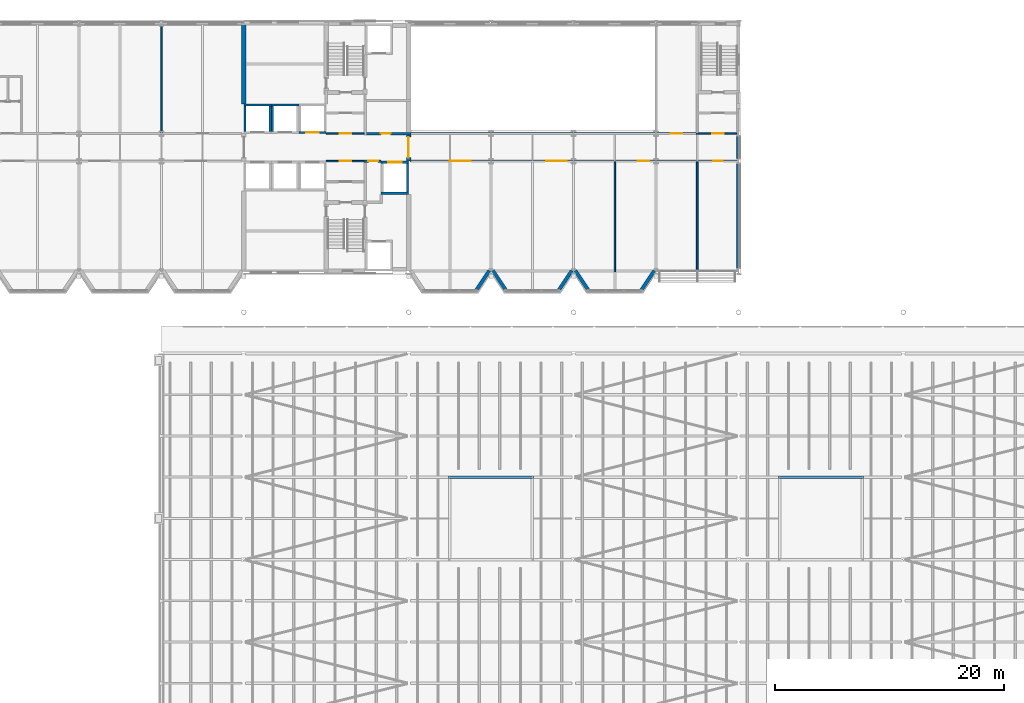
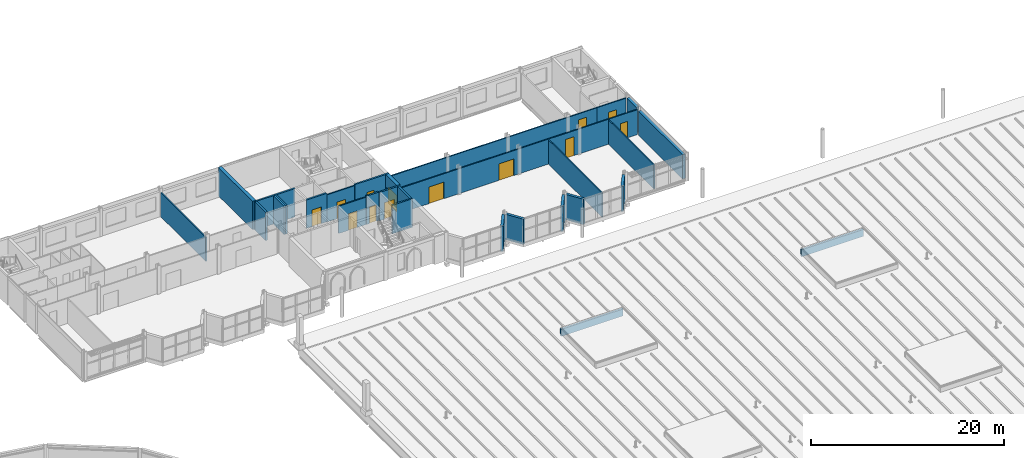
# One storey, part 63 of 120: 30 walls, 13 doors, 13 openings.
"""IFC4 building model written with IfcOpenShell, lengths in metres."""

import ifcopenshell
import ifcopenshell.guid

model = None  # the IFC model being written
_history = None  # IfcOwnerHistory: only IFC2X3 demands one
_inside = {}  # id of a spatial element -> (the spatial element, [elements in it])
_under = {}  # id of a project, library or spatial element -> (it, [spatial elements below it])
_declared = {}  # id of a project -> (the project, [libraries it declares])
_typed = {}  # id of a type object -> (the type object, [elements of that type])
_made_of = {}  # id of a material, layer set ... -> (it, [elements and type objects made of it])


def new_model(schema):
    """Start an empty IFC model of exactly this schema.

    Asked for "IFC4X3", IfcOpenShell would pick the latest addendum, in which some entities
    have other attributes; the version numbers below select the first issue.
    IFC2X3 requires an IfcOwnerHistory on every rooted entity: one is made here for all.
    """
    global model, _history
    if schema == "IFC4X3":
        model = ifcopenshell.file(schema_version=(4, 3, 0, 0))
    else:
        model = ifcopenshell.file(schema=schema)
    _inside.clear()
    _under.clear()
    _declared.clear()
    _typed.clear()
    _made_of.clear()
    _history = None
    if model.schema == "IFC2X3":
        org = make("IfcOrganization", Name="unknown")
        user = make(
            "IfcPersonAndOrganization",
            ThePerson=make("IfcPerson", FamilyName="unknown"),
            TheOrganization=org,
        )
        app = make(
            "IfcApplication",
            ApplicationDeveloper=org,
            Version="unknown",
            ApplicationFullName="unknown",
            ApplicationIdentifier="unknown",
        )
        _history = make(
            "IfcOwnerHistory",
            OwningUser=user,
            OwningApplication=app,
            ChangeAction="ADDED",
            CreationDate=0,
        )
    return model


def make(cls, **values):
    """One entity of the class cls with the attributes given. An attribute that is None is left unset."""
    return model.create_entity(
        cls, **{name: value for name, value in values.items() if value is not None}
    )


def rooted(cls, **values):
    """An entity with a GlobalId (a new one), such as an element, a storey or a relation."""
    return make(cls, GlobalId=ifcopenshell.guid.new(), OwnerHistory=_history, **values)


def si_unit(unit_type, name, prefix=None):
    """IfcSIUnit, for example si_unit("LENGTHUNIT", "METRE", prefix="MILLI")."""
    return make("IfcSIUnit", UnitType=unit_type, Prefix=prefix, Name=name)


def assignment(units):
    """IfcUnitAssignment: the units of a project."""
    return None if units is None else make("IfcUnitAssignment", Units=units)


def point(xyz):
    """IfcCartesianPoint."""
    return None if xyz is None else make("IfcCartesianPoint", Coordinates=xyz)


def direction(xyz):
    """IfcDirection."""
    return None if xyz is None else make("IfcDirection", DirectionRatios=xyz)


def frame(location, z_axis=None, x_axis=None):
    """IfcAxis2Placement3D, a coordinate frame: its origin and axes. An axis left out is left unset."""
    return make(
        "IfcAxis2Placement3D",
        Location=point(location),
        Axis=direction(z_axis),
        RefDirection=direction(x_axis),
    )


def frame_2d(location, x_axis=None):
    """IfcAxis2Placement2D, a coordinate frame in the plane: its origin and x axis."""
    return make(
        "IfcAxis2Placement2D", Location=point(location), RefDirection=direction(x_axis)
    )


def origin():
    """The frame at (0, 0, 0) with its axes left unset."""
    return frame((0.0, 0.0, 0.0))


def place(relative_to, where):
    """IfcLocalPlacement: puts the frame where relative to a parent placement (None: the world)."""
    return make(
        "IfcLocalPlacement", PlacementRelTo=relative_to, RelativePlacement=where
    )


def context(
    kind, dimensions, precision=None, world=None, true_north=None, identifier=None
):
    """IfcGeometricRepresentationContext, for example the 3D "Model" context."""
    return make(
        "IfcGeometricRepresentationContext",
        ContextIdentifier=identifier,
        ContextType=kind,
        CoordinateSpaceDimension=dimensions,
        Precision=precision,
        WorldCoordinateSystem=world,
        TrueNorth=true_north,
    )


def subcontext(parent, identifier, kind, view, scale=None):
    """IfcGeometricRepresentationSubContext, for example "Body" below "Model"."""
    return make(
        "IfcGeometricRepresentationSubContext",
        ContextIdentifier=identifier,
        ContextType=kind,
        ParentContext=parent,
        TargetScale=scale,
        TargetView=view,
    )


def project(units=None, contexts=None):
    """IfcProject with its units and contexts."""
    return rooted(
        "IfcProject",
        Name="project",
        RepresentationContexts=contexts,
        UnitsInContext=assignment(units),
    )


def spatial(cls, under=None, at=None, **own):
    """A site, building, storey or space (cls), placed at a placement, below another one or the project."""
    s = rooted(cls, ObjectPlacement=at, **own)
    if under is not None:
        _under.setdefault(under.id(), (under, []))[1].append(s)
    return s


def profile(cls, at=None, kind="AREA", **sizes):
    """A parametric profile (cls). Its sizes go by their IFC names, for example OverallWidth=200.0."""
    return make(cls, ProfileType=kind, Position=at, **sizes)


def rectangle(**sizes):
    """IfcRectangleProfileDef."""
    return profile("IfcRectangleProfileDef", **sizes)


def extrude(swept, where, along, depth):
    """IfcExtrudedAreaSolid: the profile swept, set in the frame where, extruded along a direction by depth."""
    return make(
        "IfcExtrudedAreaSolid",
        SweptArea=swept,
        Position=where,
        ExtrudedDirection=direction(along),
        Depth=depth,
    )


def shape(context_of_items, identifier, shape_type, items):
    """IfcShapeRepresentation: the items that make up one representation, for example the "Body"."""
    return make(
        "IfcShapeRepresentation",
        ContextOfItems=context_of_items,
        RepresentationIdentifier=identifier,
        RepresentationType=shape_type,
        Items=items,
    )


def material(Name=None, Category=None):
    """IfcMaterial."""
    return make("IfcMaterial", Name=Name, Category=Category)


def layer(
    of_material, thickness, ventilated=None, Name=None, Category=None, Priority=None
):
    """IfcMaterialLayer: one layer of a wall or slab, of a material (None: an air gap)."""
    return make(
        "IfcMaterialLayer",
        Material=of_material,
        LayerThickness=thickness,
        IsVentilated=ventilated,
        Name=Name,
        Category=Category,
        Priority=Priority,
    )


def layer_set(layers, Name=None):
    """IfcMaterialLayerSet."""
    return make("IfcMaterialLayerSet", MaterialLayers=layers, LayerSetName=Name)


def made_of(thing, what):
    """Note that an element or type object is made of a material, layer set ...; save() writes the relation."""
    if what is not None:
        _made_of.setdefault(what.id(), (what, []))[1].append(thing)
    return thing


def type_object(cls, material=None, **own):
    """A type object (cls), such as IfcWallType, which elements share."""
    return made_of(rooted(cls, **own), material)


def element(
    cls,
    number,
    at=None,
    inside=None,
    cuts=None,
    type_object=None,
    material=None,
    context=None,
    identifier="Body",
    shape_type=None,
    held_by="IfcProductDefinitionShape",
    body=None,
    shapes=None,
    **own,
):
    """One element of the class cls, such as IfcWall. Its Tag is "e" and its number.

    at: its placement. inside: the storey or other place that contains it. cuts: it is an
    opening in that element (IfcRelVoidsElement). A single representation is given by context,
    identifier, shape_type and body (its items); several are given by shapes. held_by: the class
    of the entity that holds the representations. save() writes the other relations.
    """
    e = rooted(cls, Tag="e%d" % number, ObjectPlacement=at, **own)
    if body is not None:
        shapes = [shape(context, identifier, shape_type, body)]
    if shapes is not None:
        e.Representation = make(held_by, Representations=shapes)
    if inside is not None:
        _inside.setdefault(inside.id(), (inside, []))[1].append(e)
    if cuts is not None:
        rooted(
            "IfcRelVoidsElement", RelatingBuildingElement=cuts, RelatedOpeningElement=e
        )
    if type_object is not None:
        _typed.setdefault(type_object.id(), (type_object, []))[1].append(e)
    return made_of(e, material)


def fill(opening, filler):
    """IfcRelFillsElement: the door or window that sits in an opening."""
    return rooted(
        "IfcRelFillsElement",
        RelatingOpeningElement=opening,
        RelatedBuildingElement=filler,
    )


def aggregate(whole, parts):
    """IfcRelAggregates: a whole, such as a stair, and the parts it consists of."""
    return rooted("IfcRelAggregates", RelatingObject=whole, RelatedObjects=parts)


def save(model, path):
    """Write the relations noted so far, then the file.

    IfcRelAggregates (storeys below a building ...), IfcRelContainedInSpatialStructure (elements
    in a storey), IfcRelDefinesByType, IfcRelAssociatesMaterial and IfcRelDeclares: one each for
    every whole, place, type object, material and project.
    """
    for whole, parts in _under.values():
        aggregate(whole, parts)
    for where, things in _inside.values():
        rooted(
            "IfcRelContainedInSpatialStructure",
            RelatedElements=things,
            RelatingStructure=where,
        )
    for kind, things in _typed.values():
        rooted("IfcRelDefinesByType", RelatedObjects=things, RelatingType=kind)
    for what, things in _made_of.values():
        rooted("IfcRelAssociatesMaterial", RelatedObjects=things, RelatingMaterial=what)
    for by, libraries in _declared.values():
        rooted("IfcRelDeclares", RelatingContext=by, RelatedDefinitions=libraries)
    model.write(path)


model = new_model("IFC4")

# Units and contexts
model_context = context("Model", 3, precision=1e-05, world=origin(), true_north=direction((0.0, 1.0)))
body_context = subcontext(model_context, "Body", "Model", "MODEL_VIEW")
ifc_project = project(units=[si_unit("LENGTHUNIT", "METRE"), si_unit("AREAUNIT", "SQUARE_METRE"), si_unit("VOLUMEUNIT", "CUBIC_METRE"), si_unit("PLANEANGLEUNIT", "RADIAN"), si_unit("MASSUNIT", "GRAM", prefix="KILO")], contexts=[model_context])

# Site, building, storey
site_placement = place(None, origin())
site = spatial("IfcSite", under=ifc_project, at=site_placement, CompositionType="ELEMENT")
building_placement = place(site_placement, origin())
building = spatial("IfcBuilding", under=site, at=building_placement, Name="Kupolbacken Congress Centre", CompositionType="ELEMENT")
storey_placement = place(building_placement, frame((0.0, 0.0, 21.60009765625)))
storey = spatial("IfcBuildingStorey", under=building, at=storey_placement, Name="L06", CompositionType="ELEMENT", Elevation=21.60009765625)

# Walls
ifc_material_1 = material(Name="Limestone", Category="masonry")
ifc_layer_1 = layer(ifc_material_1, 0.06005859375)
ifc_material_2 = material(Name="Air cavity", Category="air")
ifc_layer_2 = layer(ifc_material_2, 0.0400390625, ventilated=True)
ifc_material_3 = material(Name="Mineral wool", Category="insulation")
ifc_layer_3 = layer(ifc_material_3, 0.14990234375)
ifc_material_4 = material(Name="Steel studs", Category="metal")
ifc_layer_4 = layer(ifc_material_4, 0.050048828125)
ifc_layer_set_1 = layer_set([ifc_layer_1, ifc_layer_2, ifc_layer_3, ifc_layer_4], Name="Limestone / Mineral wool / Steel studs")
wall_type_1 = type_object("IfcWallType", Name="EW01 external cavity wall 300", PredefinedType="SOLIDWALL", material=ifc_layer_set_1)
wall_1_placement = place(storey_placement, frame((115.04638671875, 122.440185546875, 0.0), z_axis=(0.0, 0.0, 1.0), x_axis=(-0.554620150341, -0.8321036527, 0.0)))
element("IfcWall", 1, at=wall_1_placement, inside=storey, type_object=wall_type_1, Name="E/T/cumba/L06/S/014/facE", PredefinedType="SOLIDWALL", context=body_context, shape_type="SweptSolid", body=[
    extrude(rectangle(XDim=2.111572265625, YDim=0.300048828125, at=frame_2d((1.0556640625, 0.0))), origin(), (0.0, 0.0, 1.0), 3.219970703125),
])
for number, where, z_axis, x_axis, name in (
    (2, (115.353515625, 122.440185546875, 0.0), (0.0, 0.0, 1.0), (0.554700196225, -0.832050294338, 0.0), "E/T/cumba/L06/S/018/facW"),
    (3, (122.24658203125, 122.440185546875, 0.0), (0.0, 0.0, 1.0), (-0.554700196225, -0.832050294338, 0.0), "E/T/cumba/L06/S/018/facE"),
    (4, (122.553466796875, 122.440185546875, 0.0), (0.0, 0.0, 1.0), (0.554700196225, -0.832050294338, 0.0), "E/T/cumba/L06/S/022/facW"),
    (5, (129.446533203125, 122.440185546875, 0.0), (0.0, 0.0, 1.0), (-0.554700196225, -0.832050294338, 0.0), "E/T/cumba/L06/S/022/facE"),
):
    element("IfcWall", number, at=place(storey_placement, frame(where, z_axis=z_axis, x_axis=x_axis)), inside=storey, type_object=wall_type_1, Name=name, PredefinedType="SOLIDWALL", context=body_context, shape_type="SweptSolid", body=[
        extrude(rectangle(XDim=2.11181640625, YDim=0.300048828125, at=frame_2d((1.055908203125, 0.0))), origin(), (0.0, 0.0, 1.0), 3.219970703125),
    ])
ifc_material_5 = material(Name="Brick", Category="masonry")
ifc_layer_5 = layer(ifc_material_5, 0.10791015625)
ifc_layer_6 = layer(ifc_material_2, 0.050048828125, ventilated=True)
ifc_layer_7 = layer(ifc_material_3, 0.1298828125)
ifc_layer_8 = layer(ifc_material_4, 0.052001953125)
ifc_layer_set_2 = layer_set([ifc_layer_5, ifc_layer_6, ifc_layer_7, ifc_layer_8], Name="Brick / Mineral wool / Steel studs")
wall_type_2 = type_object("IfcWallType", Name="EW02 external cavity wall 340", PredefinedType="SOLIDWALL", material=ifc_layer_set_2)
wall_2_placement = place(storey_placement, frame((136.800048828125, 122.625, 0.0), z_axis=(0.0, 0.0, 1.0), x_axis=(0.0, 1.0, 0.0)))
element("IfcWall", 6, at=wall_2_placement, inside=storey, type_object=wall_type_2, Name="E/T/E/L06/080", PredefinedType="SOLIDWALL", context=body_context, shape_type="SweptSolid", body=[
    extrude(rectangle(XDim=9.14990234375, YDim=0.340087890625, at=frame_2d((4.574951171875, 0.0))), origin(), (0.0, 0.0, 1.0), 3.059814453125),
])
wall_3_placement = place(storey_placement, frame((136.800048828125, 132.22509765625, 0.0), z_axis=(0.0, 0.0, 1.0), x_axis=(0.0, 1.0, 0.0)))
element("IfcWall", 7, at=wall_3_placement, inside=storey, type_object=wall_type_2, Name="E/T/E/L06/081", PredefinedType="SOLIDWALL", context=body_context, shape_type="SweptSolid", body=[
    extrude(rectangle(XDim=1.949951171875, YDim=0.340087890625, at=frame_2d((0.97509765625, 0.0))), origin(), (0.0, 0.0, 1.0), 3.260009765625),
])

# Wall, openings, doors
ifc_material_6 = material(Name="Gypsum board", Category="drywall")
ifc_layer_9 = layer(ifc_material_6, 0.135009765625)
ifc_layer_set_3 = layer_set([ifc_layer_9], Name="Gypsum board")
wall_type_3 = type_object("IfcWallType", Name="P06 compartment wall 135", PredefinedType="PARTITIONING", material=ifc_layer_set_3)
wall_4_placement = place(storey_placement, frame((108.199951171875, 132.0, 0.0), z_axis=(0.0, 0.0, 1.0), x_axis=(1.0, 0.0, 0.0)))
wall_4 = element("IfcWall", 8, at=wall_4_placement, inside=storey, type_object=wall_type_3, Name="T/wall/L06/x/13200/10800", PredefinedType="PARTITIONING", context=body_context, shape_type="SweptSolid", body=[
    extrude(rectangle(XDim=28.429931640625, YDim=0.135009765625, at=frame_2d((14.21484375, 0.0))), origin(), (0.0, 0.0, 1.0), 3.159912109375),
])
opening_1_placement = place(wall_4_placement, frame((26.375, 0.0, 0.0)))
opening_1 = element("IfcOpeningElement", 9, at=opening_1_placement, cuts=wall_4, Name="Opening D3", PredefinedType="OPENING", context=body_context, shape_type="SweptSolid", body=[
    extrude(rectangle(XDim=0.85009765625, YDim=2.10009765625, at=frame_2d((0.425048828125, 1.050048828125))), frame((0.0, 0.077392578125, 0.0), z_axis=(0.0, -1.0, 0.0), x_axis=(1.0, 0.0, 0.0)), (0.0, 0.0, 1.0), 0.155029296875),
])
opening_2_placement = place(wall_4_placement, frame((3.39990234375, 0.0, 0.0)))
opening_2 = element("IfcOpeningElement", 10, at=opening_2_placement, cuts=wall_4, Name="Opening D14", PredefinedType="OPENING", context=body_context, shape_type="SweptSolid", body=[
    extrude(rectangle(XDim=1.800048828125, YDim=2.10009765625, at=frame_2d((0.89990234375, 1.050048828125))), frame((0.0, 0.077392578125, 0.0), z_axis=(0.0, -1.0, 0.0), x_axis=(1.0, 0.0, 0.0)), (0.0, 0.0, 1.0), 0.155029296875),
])
opening_3_placement = place(wall_4_placement, frame((11.800048828125, 0.0, 0.0)))
opening_3 = element("IfcOpeningElement", 11, at=opening_3_placement, cuts=wall_4, Name="Opening D14", PredefinedType="OPENING", context=body_context, shape_type="SweptSolid", body=[
    extrude(rectangle(XDim=1.800048828125, YDim=2.10009765625, at=frame_2d((0.89990234375, 1.050048828125))), frame((0.0, 0.077392578125, 0.0), z_axis=(0.0, -1.0, 0.0), x_axis=(1.0, 0.0, 0.0)), (0.0, 0.0, 1.0), 0.155029296875),
])
opening_4_placement = place(wall_4_placement, frame((19.800048828125, 0.0, 0.0)))
opening_4 = element("IfcOpeningElement", 12, at=opening_4_placement, cuts=wall_4, Name="Opening D8", PredefinedType="OPENING", context=body_context, shape_type="SweptSolid", body=[
    extrude(rectangle(XDim=1.0, YDim=2.39990234375, at=frame_2d((0.5, 1.199951171875))), frame((0.0, 0.077392578125, 0.0), z_axis=(0.0, -1.0, 0.0), x_axis=(1.0, 0.0, 0.0)), (0.0, 0.0, 1.0), 0.155029296875),
])
ifc_material_7 = material(Name="Steel fire door leaf", Category="steel")
door_type_1 = type_object("IfcDoorType", Name="D14 fire door 1800x2100", OperationType="DOUBLE_DOOR_SINGLE_SWING", PredefinedType="DOOR", material=ifc_material_7)
door_1_placement = place(opening_2_placement, frame((1.800048828125, 0.0, 0.0), z_axis=(0.0, 0.0, 1.0), x_axis=(-1.0, 0.0, 0.0)))
door_1 = element("IfcDoor", 13, at=door_1_placement, inside=storey, type_object=door_type_1, Name="T/wall/L06/x/13200/10800/D-PRS-S1", OperationType="DOUBLE_DOOR_SINGLE_SWING", OverallHeight=2.10009765625, OverallWidth=1.800048828125, PredefinedType="DOOR", context=body_context, shape_type="SweptSolid", body=[
    extrude(rectangle(XDim=1.800048828125, YDim=2.10009765625, at=frame_2d((0.89990234375, 1.050048828125))), frame((0.0, 0.02490234375, 0.0), z_axis=(0.0, -1.0, 0.0), x_axis=(1.0, 0.0, 0.0)), (0.0, 0.0, 1.0), 0.050048828125),
])
fill(opening_2, door_1)
door_2_placement = place(opening_3_placement, frame((1.800048828125, 0.0, 0.0), z_axis=(0.0, 0.0, 1.0), x_axis=(-1.0, 0.0, 0.0)))
door_2 = element("IfcDoor", 14, at=door_2_placement, inside=storey, type_object=door_type_1, Name="T/wall/L06/x/13200/10800/D-PRS-S2", OperationType="DOUBLE_DOOR_SINGLE_SWING", OverallHeight=2.10009765625, OverallWidth=1.800048828125, PredefinedType="DOOR", context=body_context, shape_type="SweptSolid", body=[
    extrude(rectangle(XDim=1.800048828125, YDim=2.10009765625, at=frame_2d((0.89990234375, 1.050048828125))), frame((0.0, 0.02490234375, 0.0), z_axis=(0.0, -1.0, 0.0), x_axis=(1.0, 0.0, 0.0)), (0.0, 0.0, 1.0), 0.050048828125),
])
fill(opening_3, door_2)
ifc_material_8 = material(Name="Steel fire door leaf", Category="steel")
door_type_2 = type_object("IfcDoorType", Name="D3 fire door 850x2100", OperationType="SINGLE_SWING_LEFT", PredefinedType="DOOR", material=ifc_material_8)
door_3_placement = place(opening_1_placement, frame((0.85009765625, 0.0, 0.0), z_axis=(0.0, 0.0, 1.0), x_axis=(-1.0, 0.0, 0.0)))
door_3 = element("IfcDoor", 15, at=door_3_placement, inside=storey, type_object=door_type_2, Name="T/wall/L06/x/13200/10800/D-EE-D", OperationType="SINGLE_SWING_RIGHT", OverallHeight=2.10009765625, OverallWidth=0.85009765625, PredefinedType="DOOR", context=body_context, shape_type="SweptSolid", body=[
    extrude(rectangle(XDim=0.85009765625, YDim=2.10009765625, at=frame_2d((0.425048828125, 1.050048828125))), frame((0.0, 0.02490234375, 0.0), z_axis=(0.0, -1.0, 0.0), x_axis=(1.0, 0.0, 0.0)), (0.0, 0.0, 1.0), 0.050048828125),
])
fill(opening_1, door_3)
ifc_material_9 = material(Name="Steel fire door leaf", Category="steel")
door_type_3 = type_object("IfcDoorType", Name="D8 fire door 1000x2400", OperationType="SINGLE_SWING_LEFT", PredefinedType="DOOR", material=ifc_material_9)
door_4_placement = place(opening_4_placement, frame((1.0, 0.0, 0.0), z_axis=(0.0, 0.0, 1.0), x_axis=(-1.0, 0.0, 0.0)))
door_4 = element("IfcDoor", 16, at=door_4_placement, inside=storey, type_object=door_type_3, Name="T/wall/L06/x/13200/10800/D-PRN-S1", OperationType="SINGLE_SWING_LEFT", OverallHeight=2.39990234375, OverallWidth=1.0, PredefinedType="DOOR", context=body_context, shape_type="SweptSolid", body=[
    extrude(rectangle(XDim=1.0, YDim=2.39990234375, at=frame_2d((0.5, 1.199951171875))), frame((0.0, 0.02490234375, 0.0), z_axis=(0.0, -1.0, 0.0), x_axis=(1.0, 0.0, 0.0)), (0.0, 0.0, 1.0), 0.050048828125),
])
fill(opening_4, door_4)

# Wall, opening, door
wall_5_placement = place(storey_placement, frame((108.199951171875, 134.39990234375, 0.0), z_axis=(0.0, 0.0, 1.0), x_axis=(1.0, 0.0, 0.0)))
wall_5 = element("IfcWall", 17, at=wall_5_placement, inside=storey, type_object=wall_type_3, Name="T/wall/L06/x/13440/10810", PredefinedType="PARTITIONING", context=body_context, shape_type="SweptSolid", body=[
    extrude(rectangle(XDim=25.070068359375, YDim=0.135009765625, at=frame_2d((12.53515625, 0.0))), origin(), (0.0, 0.0, 1.0), 3.159912109375),
])
opening_5_placement = place(wall_5_placement, frame((22.699951171875, 0.0, 0.0)))
opening_5 = element("IfcOpeningElement", 18, at=opening_5_placement, cuts=wall_5, Name="Opening D8", PredefinedType="OPENING", context=body_context, shape_type="SweptSolid", body=[
    extrude(rectangle(XDim=1.0, YDim=2.39990234375, at=frame_2d((0.5, 1.199951171875))), frame((0.0, 0.077392578125, 0.0), z_axis=(0.0, -1.0, 0.0), x_axis=(1.0, 0.0, 0.0)), (0.0, 0.0, 1.0), 0.155029296875),
])
door_5_placement = place(opening_5_placement, origin())
door_5 = element("IfcDoor", 19, at=door_5_placement, inside=storey, type_object=door_type_3, Name="T/wall/L06/x/13440/10810/D-MR1-S1", OperationType="SINGLE_SWING_LEFT", OverallHeight=2.39990234375, OverallWidth=1.0, PredefinedType="DOOR", context=body_context, shape_type="SweptSolid", body=[
    extrude(rectangle(XDim=1.0, YDim=2.39990234375, at=frame_2d((0.5, 1.199951171875))), frame((0.0, 0.02490234375, 0.0), z_axis=(0.0, -1.0, 0.0), x_axis=(1.0, 0.0, 0.0)), (0.0, 0.0, 1.0), 0.050048828125),
])
fill(opening_5, door_5)

# Walls
wall_6_placement = place(storey_placement, frame((86.39990234375, 134.467529296875, 0.0), z_axis=(0.0, 0.0, 1.0), x_axis=(0.0, 1.0, 0.0)))
element("IfcWall", 20, at=wall_6_placement, inside=storey, type_object=wall_type_3, Name="T/wall/L06/y/8640/13440", PredefinedType="PARTITIONING", context=body_context, shape_type="SweptSolid", body=[
    extrude(rectangle(XDim=9.362548828125, YDim=0.135009765625, at=frame_2d((4.68115234375, 0.0))), origin(), (0.0, 0.0, 1.0), 3.059814453125),
])
wall_7_placement = place(storey_placement, frame((126.0, 120.800048828125, 0.0), z_axis=(0.0, 0.0, 1.0), x_axis=(0.0, 1.0, 0.0)))
element("IfcWall", 21, at=wall_7_placement, inside=storey, type_object=wall_type_3, Name="T/wall/L06/y/12600/12080", PredefinedType="PARTITIONING", context=body_context, shape_type="SweptSolid", body=[
    extrude(rectangle(XDim=11.132568359375, YDim=0.135009765625, at=frame_2d((5.56640625, 0.0))), origin(), (0.0, 0.0, 1.0), 3.059814453125),
])
wall_8_placement = place(storey_placement, frame((133.199951171875, 122.570068359375, 0.0), z_axis=(0.0, 0.0, 1.0), x_axis=(0.0, 1.0, 0.0)))
element("IfcWall", 22, at=wall_8_placement, inside=storey, type_object=wall_type_3, Name="T/wall/L06/y/13320/12240", PredefinedType="PARTITIONING", context=body_context, shape_type="SweptSolid", body=[
    extrude(rectangle(XDim=9.362548828125, YDim=0.135009765625, at=frame_2d((4.68115234375, 0.0))), origin(), (0.0, 0.0, 1.0), 3.059814453125),
])

# Wall, opening, door
ifc_material_10 = material(Name="Aerated concrete block", Category="masonry")
ifc_layer_10 = layer(ifc_material_10, 0.139892578125)
ifc_layer_set_4 = layer_set([ifc_layer_10], Name="Aerated concrete block")
wall_type_4 = type_object("IfcWallType", Name="P14 compartment wall 140", PredefinedType="PARTITIONING", material=ifc_layer_set_4)
wall_9_placement = place(storey_placement, frame((100.800048828125, 132.0, 0.0), z_axis=(0.0, 0.0, 1.0), x_axis=(1.0, 0.0, 0.0)))
wall_9 = element("IfcWall", 23, at=wall_9_placement, inside=storey, type_object=wall_type_4, Name="T/wall/L06/x/13200/10080", PredefinedType="PARTITIONING", context=body_context, shape_type="SweptSolid", body=[
    extrude(rectangle(XDim=3.300048828125, YDim=0.139892578125, at=frame_2d((1.64990234375, 0.0))), origin(), (0.0, 0.0, 1.0), 3.4599609375),
])
opening_6_placement = place(wall_9_placement, frame((1.199951171875, 0.0, 0.0)))
opening_6 = element("IfcOpeningElement", 24, at=opening_6_placement, cuts=wall_9, Name="Opening D5", PredefinedType="OPENING", context=body_context, shape_type="SweptSolid", body=[
    extrude(rectangle(XDim=1.0, YDim=2.10009765625, at=frame_2d((0.5, 1.050048828125))), frame((0.0, 0.079833984375, 0.0), z_axis=(0.0, -1.0, 0.0), x_axis=(1.0, 0.0, 0.0)), (0.0, 0.0, 1.0), 0.159912109375),
])
ifc_material_11 = material(Name="Steel fire door leaf", Category="steel")
door_type_4 = type_object("IfcDoorType", Name="D5 stair door 1000x2100", OperationType="SINGLE_SWING_LEFT", PredefinedType="DOOR", material=ifc_material_11)
door_6_placement = place(opening_6_placement, origin())
door_6 = element("IfcDoor", 25, at=door_6_placement, inside=storey, type_object=door_type_4, Name="T/wall/L06/x/13200/10080/D-TS1-LK3", OperationType="SINGLE_SWING_RIGHT", OverallHeight=2.10009765625, OverallWidth=1.0, PredefinedType="DOOR", context=body_context, shape_type="SweptSolid", body=[
    extrude(rectangle(XDim=1.0, YDim=2.10009765625, at=frame_2d((0.5, 1.050048828125))), frame((0.0, 0.02490234375, 0.0), z_axis=(0.0, -1.0, 0.0), x_axis=(1.0, 0.0, 0.0)), (0.0, 0.0, 1.0), 0.050048828125),
])
fill(opening_6, door_6)

wall_10_placement = place(storey_placement, frame((100.800048828125, 134.39990234375, 0.0), z_axis=(0.0, 0.0, 1.0), x_axis=(1.0, 0.0, 0.0)))
wall_10 = element("IfcWall", 26, at=wall_10_placement, inside=storey, type_object=wall_type_4, Name="T/wall/L06/x/13440/10080", PredefinedType="PARTITIONING", context=body_context, shape_type="SweptSolid", body=[
    extrude(rectangle(XDim=3.300048828125, YDim=0.139892578125, at=frame_2d((1.64990234375, 0.0))), origin(), (0.0, 0.0, 1.0), 3.4599609375),
])
opening_7_placement = place(wall_10_placement, frame((1.199951171875, 0.0, 0.0)))
opening_7 = element("IfcOpeningElement", 27, at=opening_7_placement, cuts=wall_10, Name="Opening D5", PredefinedType="OPENING", context=body_context, shape_type="SweptSolid", body=[
    extrude(rectangle(XDim=1.0, YDim=2.10009765625, at=frame_2d((0.5, 1.050048828125))), frame((0.0, 0.079833984375, 0.0), z_axis=(0.0, -1.0, 0.0), x_axis=(1.0, 0.0, 0.0)), (0.0, 0.0, 1.0), 0.159912109375),
])
door_7_placement = place(opening_7_placement, frame((1.0, 0.0, 0.0), z_axis=(0.0, 0.0, 1.0), x_axis=(-1.0, 0.0, 0.0)))
door_7 = element("IfcDoor", 28, at=door_7_placement, inside=storey, type_object=door_type_4, Name="T/wall/L06/x/13440/10080/D-TS2-LK3", OperationType="SINGLE_SWING_LEFT", OverallHeight=2.10009765625, OverallWidth=1.0, PredefinedType="DOOR", context=body_context, shape_type="SweptSolid", body=[
    extrude(rectangle(XDim=1.0, YDim=2.10009765625, at=frame_2d((0.5, 1.050048828125))), frame((0.0, 0.02490234375, 0.0), z_axis=(0.0, -1.0, 0.0), x_axis=(1.0, 0.0, 0.0)), (0.0, 0.0, 1.0), 0.050048828125),
])
fill(opening_7, door_7)

wall_11_placement = place(storey_placement, frame((133.1298828125, 134.39990234375, 0.0), z_axis=(0.0, 0.0, 1.0), x_axis=(1.0, 0.0, 0.0)))
wall_11 = element("IfcWall", 29, at=wall_11_placement, inside=storey, type_object=wall_type_4, Name="T/wall/L06/x/13440/13320", PredefinedType="PARTITIONING", context=body_context, shape_type="SweptSolid", body=[
    extrude(rectangle(XDim=3.5, YDim=0.139892578125, at=frame_2d((1.75, 0.0))), origin(), (0.0, 0.0, 1.0), 3.159912109375),
])
opening_8_placement = place(wall_11_placement, frame((1.3701171875, 0.0, 0.0)))
opening_8 = element("IfcOpeningElement", 30, at=opening_8_placement, cuts=wall_11, Name="Opening D5", PredefinedType="OPENING", context=body_context, shape_type="SweptSolid", body=[
    extrude(rectangle(XDim=1.0, YDim=2.10009765625, at=frame_2d((0.5, 1.050048828125))), frame((0.0, 0.079833984375, 0.0), z_axis=(0.0, -1.0, 0.0), x_axis=(1.0, 0.0, 0.0)), (0.0, 0.0, 1.0), 0.159912109375),
])
door_8_placement = place(opening_8_placement, frame((1.0, 0.0, 0.0), z_axis=(0.0, 0.0, 1.0), x_axis=(-1.0, 0.0, 0.0)))
door_8 = element("IfcDoor", 31, at=door_8_placement, inside=storey, type_object=door_type_4, Name="T/wall/L06/x/13440/13320/D-TS4-LK3", OperationType="SINGLE_SWING_RIGHT", OverallHeight=2.10009765625, OverallWidth=1.0, PredefinedType="DOOR", context=body_context, shape_type="SweptSolid", body=[
    extrude(rectangle(XDim=1.0, YDim=2.10009765625, at=frame_2d((0.5, 1.050048828125))), frame((0.0, 0.02490234375, 0.0), z_axis=(0.0, -1.0, 0.0), x_axis=(1.0, 0.0, 0.0)), (0.0, 0.0, 1.0), 0.050048828125),
])
fill(opening_8, door_8)

# Walls
ifc_material_12 = material(Name="Concrete C30/37", Category="concrete")
ifc_layer_11 = layer(ifc_material_12, 0.219970703125)
ifc_layer_set_5 = layer_set([ifc_layer_11], Name="Concrete C30/37")
wall_type_5 = type_object("IfcWallType", Name="RK1 rooflight kerb 220", PredefinedType="SOLIDWALL", material=ifc_layer_set_5)
for number, where, z_axis, x_axis, name in (
    (32, (111.489990234375, 104.39990234375, -0.010009765625), (0.0, 0.0, 1.0), (1.0, 0.0, 0.0), "Rooflight kerb RL3N"),
    (33, (140.2900390625, 104.39990234375, -0.010009765625), (0.0, 0.0, 1.0), (1.0, 0.0, 0.0), "Rooflight kerb RL6N"),
):
    element("IfcWall", number, at=place(storey_placement, frame(where, z_axis=z_axis, x_axis=x_axis)), inside=storey, type_object=wall_type_5, Name=name, PredefinedType="SOLIDWALL", context=body_context, shape_type="SweptSolid", body=[
        extrude(rectangle(XDim=7.419921875, YDim=0.219970703125, at=frame_2d((3.7099609375, 0.0))), origin(), (0.0, 0.0, 1.0), 0.8798828125),
    ])

# Wall, opening, door
ifc_material_13 = material(Name="Concrete C40/50", Category="concrete")
ifc_layer_12 = layer(ifc_material_13, 0.199951171875)
ifc_layer_set_6 = layer_set([ifc_layer_12], Name="Concrete C40/50")
wall_type_6 = type_object("IfcWallType", Name="WC1 RC shaft wall 200", PredefinedType="SHEAR", material=ifc_layer_set_6)
wall_12_placement = place(storey_placement, frame((105.60009765625, 132.0, 0.0), z_axis=(0.0, 0.0, 1.0), x_axis=(-1.0, 0.0, 0.0)))
wall_12 = element("IfcWall", 34, at=wall_12_placement, inside=storey, type_object=wall_type_6, Name="Shaft wall L06-110", PredefinedType="SHEAR", context=body_context, shape_type="SweptSolid", body=[
    extrude(rectangle(XDim=1.5, YDim=0.199951171875, at=frame_2d((0.75, 0.0))), origin(), (0.0, 0.0, 1.0), 3.599853515625),
])
opening_9_placement = place(wall_12_placement, frame((0.27490234375, 0.0, 0.0)))
opening_9 = element("IfcOpeningElement", 35, at=opening_9_placement, cuts=wall_12, Name="Opening D3", PredefinedType="OPENING", context=body_context, shape_type="SweptSolid", body=[
    extrude(rectangle(XDim=0.85009765625, YDim=2.10009765625, at=frame_2d((0.425048828125, 1.050048828125))), frame((0.0, 0.10986328125, 0.0), z_axis=(0.0, -1.0, 0.0), x_axis=(1.0, 0.0, 0.0)), (0.0, 0.0, 1.0), 0.219970703125),
])
door_9_placement = place(opening_9_placement, origin())
door_9 = element("IfcDoor", 36, at=door_9_placement, inside=storey, type_object=door_type_2, Name="S/core/L06/110/D-TR3-A", OperationType="SINGLE_SWING_LEFT", OverallHeight=2.10009765625, OverallWidth=0.85009765625, PredefinedType="DOOR", context=body_context, shape_type="SweptSolid", body=[
    extrude(rectangle(XDim=0.85009765625, YDim=2.10009765625, at=frame_2d((0.425048828125, 1.050048828125))), frame((0.0, 0.02490234375, 0.0), z_axis=(0.0, -1.0, 0.0), x_axis=(1.0, 0.0, 0.0)), (0.0, 0.0, 1.0), 0.050048828125),
])
fill(opening_9, door_9)

wall_13_placement = place(storey_placement, frame((104.10009765625, 134.39990234375, 0.0), z_axis=(0.0, 0.0, 1.0), x_axis=(1.0, 0.0, 0.0)))
wall_13 = element("IfcWall", 37, at=wall_13_placement, inside=storey, type_object=wall_type_6, Name="Shaft wall L06-112", PredefinedType="SHEAR", context=body_context, shape_type="SweptSolid", body=[
    extrude(rectangle(XDim=4.099853515625, YDim=0.199951171875, at=frame_2d((2.0498046875, 0.0))), origin(), (0.0, 0.0, 1.0), 3.599853515625),
])
opening_10_placement = place(wall_13_placement, frame((1.47509765625, 0.0, 0.0)))
opening_10 = element("IfcOpeningElement", 38, at=opening_10_placement, cuts=wall_13, Name="Opening D3", PredefinedType="OPENING", context=body_context, shape_type="SweptSolid", body=[
    extrude(rectangle(XDim=0.85009765625, YDim=2.10009765625, at=frame_2d((0.425048828125, 1.050048828125))), frame((0.0, 0.10986328125, 0.0), z_axis=(0.0, -1.0, 0.0), x_axis=(1.0, 0.0, 0.0)), (0.0, 0.0, 1.0), 0.219970703125),
])
door_10_placement = place(opening_10_placement, origin())
door_10 = element("IfcDoor", 39, at=door_10_placement, inside=storey, type_object=door_type_2, Name="S/core/L06/112/D-TR4-A", OperationType="SINGLE_SWING_RIGHT", OverallHeight=2.10009765625, OverallWidth=0.85009765625, PredefinedType="DOOR", context=body_context, shape_type="SweptSolid", body=[
    extrude(rectangle(XDim=0.85009765625, YDim=2.10009765625, at=frame_2d((0.425048828125, 1.050048828125))), frame((0.0, 0.02490234375, 0.0), z_axis=(0.0, -1.0, 0.0), x_axis=(1.0, 0.0, 0.0)), (0.0, 0.0, 1.0), 0.050048828125),
])
fill(opening_10, door_10)

# Walls
wall_14_placement = place(storey_placement, frame((93.60009765625, 136.89990234375, 0.0), z_axis=(0.0, 0.0, 1.0), x_axis=(1.0, 0.0, 0.0)))
element("IfcWall", 40, at=wall_14_placement, inside=storey, type_object=wall_type_6, Name="Shaft wall LP12", PredefinedType="SHEAR", context=body_context, shape_type="SweptSolid", body=[
    extrude(rectangle(XDim=2.39990234375, YDim=0.199951171875, at=frame_2d((1.199951171875, 0.0))), origin(), (0.0, 0.0, 1.0), 3.599853515625),
])
for number, where, z_axis, x_axis, name in (
    (41, (93.699951171875, 134.60009765625, 0.0), (0.0, 0.0, 1.0), (0.0, 1.0, 0.0), "Shaft wall LP12"),
    (42, (95.89990234375, 134.60009765625, 0.0), (0.0, 0.0, 1.0), (0.0, 1.0, 0.0), "Shaft wall LP12"),
):
    element("IfcWall", number, at=place(storey_placement, frame(where, z_axis=z_axis, x_axis=x_axis)), inside=storey, type_object=wall_type_6, Name=name, PredefinedType="SHEAR", context=body_context, shape_type="SweptSolid", body=[
        extrude(rectangle(XDim=2.199951171875, YDim=0.199951171875, at=frame_2d((1.10009765625, 0.0))), origin(), (0.0, 0.0, 1.0), 3.599853515625),
    ])
wall_15_placement = place(storey_placement, frame((96.0, 136.89990234375, 0.0), z_axis=(0.0, 0.0, 1.0), x_axis=(1.0, 0.0, 0.0)))
element("IfcWall", 43, at=wall_15_placement, inside=storey, type_object=wall_type_6, Name="Shaft wall LP13", PredefinedType="SHEAR", context=body_context, shape_type="SweptSolid", body=[
    extrude(rectangle(XDim=2.39990234375, YDim=0.199951171875, at=frame_2d((1.199951171875, 0.0))), origin(), (0.0, 0.0, 1.0), 3.599853515625),
])
wall_16_placement = place(storey_placement, frame((96.10009765625, 134.60009765625, 0.0), z_axis=(0.0, 0.0, 1.0), x_axis=(0.0, 1.0, 0.0)))
element("IfcWall", 44, at=wall_16_placement, inside=storey, type_object=wall_type_6, Name="Shaft wall LP13", PredefinedType="SHEAR", context=body_context, shape_type="SweptSolid", body=[
    extrude(rectangle(XDim=2.199951171875, YDim=0.199951171875, at=frame_2d((1.10009765625, 0.0))), origin(), (0.0, 0.0, 1.0), 3.599853515625),
])

# Wall, opening, door
wall_17_placement = place(storey_placement, frame((98.39990234375, 134.5, 0.0), z_axis=(0.0, 0.0, 1.0), x_axis=(1.0, 0.0, 0.0)))
wall_17 = element("IfcWall", 45, at=wall_17_placement, inside=storey, type_object=wall_type_6, Name="Shaft wall LP14", PredefinedType="SHEAR", context=body_context, shape_type="SweptSolid", body=[
    extrude(rectangle(XDim=2.400146484375, YDim=0.199951171875, at=frame_2d((1.2001953125, 0.0))), origin(), (0.0, 0.0, 1.0), 3.599853515625),
])
opening_11_placement = place(wall_17_placement, frame((0.64990234375, 0.0, 0.0)))
opening_11 = element("IfcOpeningElement", 46, at=opening_11_placement, cuts=wall_17, Name="Opening LD2", PredefinedType="OPENING", context=body_context, shape_type="SweptSolid", body=[
    extrude(rectangle(XDim=1.10009765625, YDim=2.10009765625, at=frame_2d((0.550048828125, 1.050048828125))), frame((0.0, 0.10986328125, 0.0), z_axis=(0.0, -1.0, 0.0), x_axis=(1.0, 0.0, 0.0)), (0.0, 0.0, 1.0), 0.219970703125),
])
ifc_material_14 = material(Name="Stainless steel door leaf", Category="steel")
door_type_5 = type_object("IfcDoorType", Name="LD2 lift landing door 1100x2100", OperationType="SLIDING_TO_LEFT", PredefinedType="DOOR", material=ifc_material_14)
door_11_placement = place(opening_11_placement, origin())
door_11 = element("IfcDoor", 47, at=door_11_placement, inside=storey, type_object=door_type_5, Name="Lift landing door LP14", OperationType="SLIDING_TO_LEFT", OverallHeight=2.10009765625, OverallWidth=1.10009765625, PredefinedType="DOOR", context=body_context, shape_type="SweptSolid", body=[
    extrude(rectangle(XDim=1.10009765625, YDim=2.10009765625, at=frame_2d((0.550048828125, 1.050048828125))), frame((0.0, 0.02490234375, 0.0), z_axis=(0.0, -1.0, 0.0), x_axis=(1.0, 0.0, 0.0)), (0.0, 0.0, 1.0), 0.050048828125),
])
fill(opening_11, door_11)

# Wall
wall_18_placement = place(storey_placement, frame((105.60009765625, 129.199951171875, 0.0), z_axis=(0.0, 0.0, 1.0), x_axis=(1.0, 0.0, 0.0)))
element("IfcWall", 48, at=wall_18_placement, inside=storey, type_object=wall_type_6, Name="Shaft wall LV1", PredefinedType="SHEAR", context=body_context, shape_type="SweptSolid", body=[
    extrude(rectangle(XDim=2.39990234375, YDim=0.199951171875, at=frame_2d((1.199951171875, 0.0))), origin(), (0.0, 0.0, 1.0), 3.599853515625),
])

# Wall, opening, door
wall_19_placement = place(storey_placement, frame((105.60009765625, 131.89990234375, 0.0), z_axis=(0.0, 0.0, 1.0), x_axis=(1.0, 0.0, 0.0)))
wall_19 = element("IfcWall", 49, at=wall_19_placement, inside=storey, type_object=wall_type_6, Name="Shaft wall LV1", PredefinedType="SHEAR", context=body_context, shape_type="SweptSolid", body=[
    extrude(rectangle(XDim=2.39990234375, YDim=0.199951171875, at=frame_2d((1.199951171875, 0.0))), origin(), (0.0, 0.0, 1.0), 3.599853515625),
])
opening_12_placement = place(wall_19_placement, frame((0.60009765625, 0.0, 0.0)))
opening_12 = element("IfcOpeningElement", 50, at=opening_12_placement, cuts=wall_19, Name="Opening LD1", PredefinedType="OPENING", context=body_context, shape_type="SweptSolid", body=[
    extrude(rectangle(XDim=1.199951171875, YDim=2.10009765625, at=frame_2d((0.60009765625, 1.050048828125))), frame((0.0, 0.10986328125, 0.0), z_axis=(0.0, -1.0, 0.0), x_axis=(1.0, 0.0, 0.0)), (0.0, 0.0, 1.0), 0.219970703125),
])
ifc_material_15 = material(Name="Stainless steel door leaf", Category="steel")
door_type_6 = type_object("IfcDoorType", Name="LD1 lift landing door 1200x2100", OperationType="SLIDING_TO_LEFT", PredefinedType="DOOR", material=ifc_material_15)
door_12_placement = place(opening_12_placement, origin())
door_12 = element("IfcDoor", 51, at=door_12_placement, inside=storey, type_object=door_type_6, Name="Lift landing door LV1", OperationType="SLIDING_TO_LEFT", OverallHeight=2.10009765625, OverallWidth=1.199951171875, PredefinedType="DOOR", context=body_context, shape_type="SweptSolid", body=[
    extrude(rectangle(XDim=1.199951171875, YDim=2.10009765625, at=frame_2d((0.60009765625, 1.050048828125))), frame((0.0, 0.02490234375, 0.0), z_axis=(0.0, -1.0, 0.0), x_axis=(1.0, 0.0, 0.0)), (0.0, 0.0, 1.0), 0.050048828125),
])
fill(opening_12, door_12)

# Wall
wall_20_placement = place(storey_placement, frame((107.89990234375, 129.300048828125, 0.0), z_axis=(0.0, 0.0, 1.0), x_axis=(0.0, 1.0, 0.0)))
element("IfcWall", 52, at=wall_20_placement, inside=storey, type_object=wall_type_6, Name="Shaft wall LV1", PredefinedType="SHEAR", context=body_context, shape_type="SweptSolid", body=[
    extrude(rectangle(XDim=2.5, YDim=0.199951171875, at=frame_2d((1.25, 0.0))), origin(), (0.0, 0.0, 1.0), 3.599853515625),
])

# Wall, opening, door
ifc_material_16 = material(Name="Concrete C40/50", Category="concrete")
ifc_layer_13 = layer(ifc_material_16, 0.39990234375)
ifc_layer_set_7 = layer_set([ifc_layer_13], Name="Concrete C40/50")
wall_type_7 = type_object("IfcWallType", Name="WC5 RC core wall 400", PredefinedType="SHEAR", material=ifc_layer_set_7)
wall_21_placement = place(storey_placement, frame((108.0, 132.0, 0.0), z_axis=(0.0, 0.0, 1.0), x_axis=(0.0, 1.0, 0.0)))
wall_21 = element("IfcWall", 53, at=wall_21_placement, inside=storey, type_object=wall_type_7, Name="Core wall L06-111", PredefinedType="SHEAR", context=body_context, shape_type="SweptSolid", body=[
    extrude(rectangle(XDim=2.5, YDim=0.39990234375, at=frame_2d((1.25, 0.0))), origin(), (0.0, 0.0, 1.0), 3.599853515625),
])
opening_13_placement = place(wall_21_placement, frame((0.300048828125, 0.0, 0.0)))
opening_13 = element("IfcOpeningElement", 54, at=opening_13_placement, cuts=wall_21, Name="Opening D14", PredefinedType="OPENING", context=body_context, shape_type="SweptSolid", body=[
    extrude(rectangle(XDim=1.800048828125, YDim=2.10009765625, at=frame_2d((0.89990234375, 1.050048828125))), frame((0.0, 0.2099609375, 0.0), z_axis=(0.0, -1.0, 0.0), x_axis=(1.0, 0.0, 0.0)), (0.0, 0.0, 1.0), 0.419921875),
])
door_13_placement = place(opening_13_placement, frame((1.800048828125, 0.0, 0.0), z_axis=(0.0, 0.0, 1.0), x_axis=(-1.0, 0.0, 0.0)))
door_13 = element("IfcDoor", 55, at=door_13_placement, inside=storey, type_object=door_type_1, Name="S/core/L06/111/D-CX-E", OperationType="DOUBLE_DOOR_SINGLE_SWING", OverallHeight=2.10009765625, OverallWidth=1.800048828125, PredefinedType="DOOR", context=body_context, shape_type="SweptSolid", body=[
    extrude(rectangle(XDim=1.800048828125, YDim=2.10009765625, at=frame_2d((0.89990234375, 1.050048828125))), frame((0.0, 0.02490234375, 0.0), z_axis=(0.0, -1.0, 0.0), x_axis=(1.0, 0.0, 0.0)), (0.0, 0.0, 1.0), 0.050048828125),
])
fill(opening_13, door_13)

# Wall
wall_22_placement = place(storey_placement, frame((93.60009765625, 144.10009765625, 0.0), z_axis=(0.0, 0.0, 1.0), x_axis=(0.0, -1.0, 0.0)))
element("IfcWall", 56, at=wall_22_placement, inside=storey, type_object=wall_type_7, Name="Core wall L06-126", PredefinedType="SHEAR", context=body_context, shape_type="SweptSolid", body=[
    extrude(rectangle(XDim=7.10009765625, YDim=0.39990234375, at=frame_2d((3.550048828125, 0.0))), origin(), (0.0, 0.0, 1.0), 3.599853515625),
])

save(model, "model.ifc")
